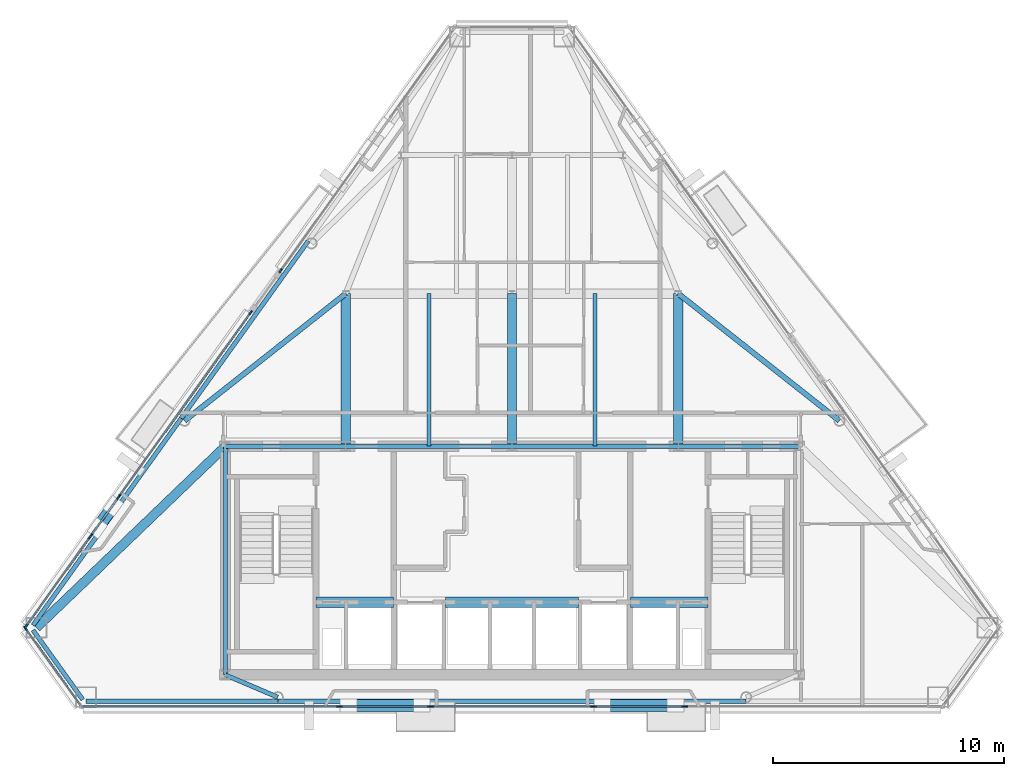
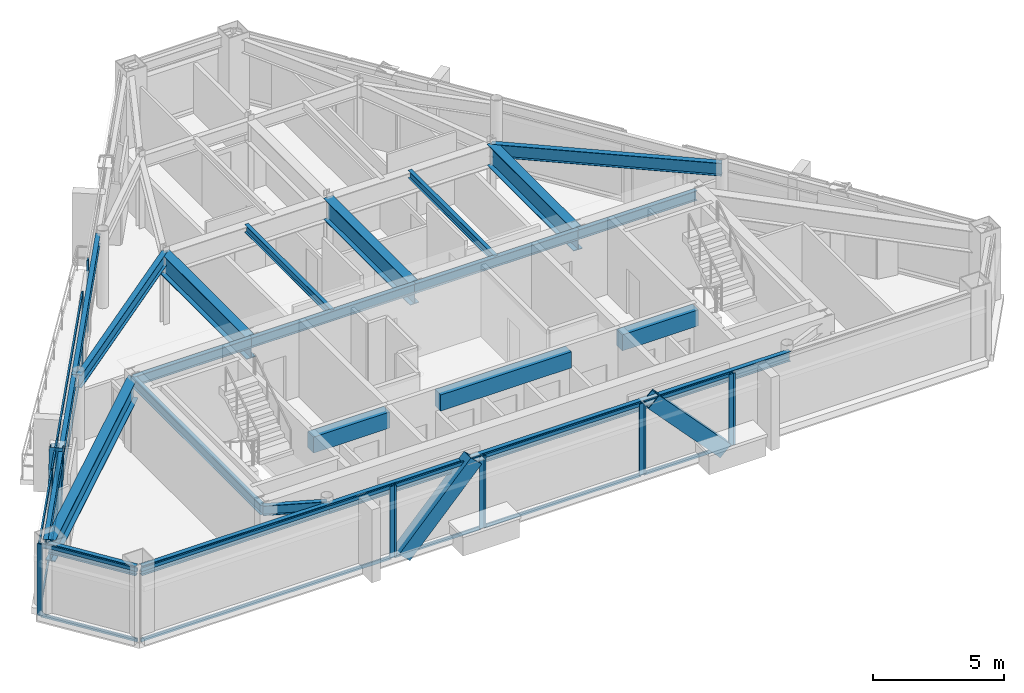
# One storey, part 4 of 12: 35 members, 22 beams, 10 elements without a shape of their own.
"""IFC4 building model written with IfcOpenShell, lengths in metres."""

from ifc_helpers import new_model, si_unit, direction, frame, origin, origin_2d, place, context, subcontext, project, spatial, rectangle, hollow_rectangle, i_section, extrude, material, layer, layer_set, material_profile, profile_set, type_object, element, aggregate, save


model = new_model("IFC4")

# Units and contexts
model_context = context("Model", 3, precision=1e-05, world=origin(), true_north=direction((0.0, 1.0)))
body_context = subcontext(model_context, "Body", "Model", "MODEL_VIEW")
ifc_project = project(units=[si_unit("LENGTHUNIT", "METRE"), si_unit("AREAUNIT", "SQUARE_METRE"), si_unit("VOLUMEUNIT", "CUBIC_METRE"), si_unit("PLANEANGLEUNIT", "RADIAN"), si_unit("MASSUNIT", "GRAM", prefix="KILO")], contexts=[model_context])

# Site, building, storey
site_placement = place(None, origin())
site = spatial("IfcSite", under=ifc_project, at=site_placement, CompositionType="ELEMENT")
building_placement = place(site_placement, origin())
building = spatial("IfcBuilding", under=site, at=building_placement, Name="Talgorran Terracotta Tower", CompositionType="ELEMENT")
storey_placement = place(building_placement, frame((0.0, 0.0, 256.199951171875)))
storey = spatial("IfcBuildingStorey", under=building, at=storey_placement, Name="L67", CompositionType="ELEMENT", Elevation=256.199951171875)

# Beams
ifc_material_1 = material(Name="Steel Grade 350 (350L0)", Category="steel")
ifc_material_profile_1 = material_profile(ifc_material_1, i_section(OverallWidth=0.39990234375, OverallDepth=1.0, WebThickness=0.01611328125, FlangeThickness=0.031005859375, at=origin_2d()), Name="1000WB296")
ifc_profile_set_1 = profile_set([ifc_material_profile_1], Name="Steel Grade 350 (350L0)")
beam_type_1 = type_object("IfcBeamType", Name="BM_1000WB296", PredefinedType="BEAM", material=ifc_profile_set_1)
for number, where, z_axis, x_axis, name in (
    (1, (-7.199951171875, -4.199951171875, 2.844970703125), (0.0, 1.0, 0.0), (-1.0, 0.0, 0.0), "L67 Floor Girder G01"),
    (2, (0.0, -4.199951171875, 2.844970703125), (0.0, 1.0, 0.0), (-1.0, 0.0, 0.0), "L67 Floor Girder G02"),
    (3, (7.199951171875, -4.199951171875, 2.844970703125), (0.0, 1.0, 0.0), (-1.0, 0.0, 0.0), "L67 Floor Girder G03"),
):
    element("IfcBeam", number, at=place(storey_placement, frame(where, z_axis=z_axis, x_axis=x_axis)), inside=storey, type_object=beam_type_1, Name=name, PredefinedType="BEAM", context=body_context, shape_type="SweptSolid", body=[
        extrude(i_section(OverallWidth=0.39990234375, OverallDepth=1.0, WebThickness=0.01611328125, FlangeThickness=0.031005859375, at=origin_2d()), origin(), (0.0, 0.0, 1.0), 6.599853515625),
    ])
beam_1_placement = place(storey_placement, frame((-12.39990234375, -4.199951171875, 2.844970703125), z_axis=(-0.721440209588, -0.692476731731, 0.0), x_axis=(0.692476731731, -0.721440209588, 0.0)))
element("IfcBeam", 4, at=beam_1_placement, inside=storey, type_object=beam_type_1, Name="L67 Floor Girder G17", PredefinedType="BEAM", context=body_context, shape_type="SweptSolid", body=[
    extrude(i_section(OverallWidth=0.39990234375, OverallDepth=1.0, WebThickness=0.01611328125, FlangeThickness=0.031005859375, at=origin_2d()), origin(), (0.0, 0.0, 1.0), 11.345703125),
])
ifc_material_2 = material(Name="Steel S355 (300PLUS)", Category="steel")
ifc_material_profile_2 = material_profile(ifc_material_2, i_section(OverallWidth=0.22802734375, OverallDepth=0.60205078125, WebThickness=0.010498046875, FlangeThickness=0.014892578125, at=origin_2d()), Name="610UB101")
ifc_profile_set_2 = profile_set([ifc_material_profile_2], Name="Steel S355 (300PLUS)")
beam_type_2 = type_object("IfcBeamType", Name="BM_610UB101", PredefinedType="BEAM", material=ifc_profile_set_2)
for number, where, z_axis, x_axis, name in (
    (5, (-7.199951171875, 2.39990234375, 3.0439453125), (-0.785110763938, -0.619355381302, 0.0), (0.619355381302, -0.785110763938, 0.0), "L67 Floor Girder G06"),
    (6, (7.199951171875, 2.39990234375, 3.0439453125), (0.785110763938, -0.619355381302, 0.0), (0.619355381302, 0.785110763938, 0.0), "L67 Floor Girder G07"),
):
    element("IfcBeam", number, at=place(storey_placement, frame(where, z_axis=z_axis, x_axis=x_axis)), inside=storey, type_object=beam_type_2, Name=name, PredefinedType="BEAM", context=body_context, shape_type="SweptSolid", body=[
        extrude(i_section(OverallWidth=0.22802734375, OverallDepth=0.60205078125, WebThickness=0.010498046875, FlangeThickness=0.014892578125, at=origin_2d()), origin(), (0.0, 0.0, 1.0), 8.878662109375),
    ])
ifc_material_3 = material(Name="Concrete C50/60", Category="concrete")
ifc_material_profile_3 = material_profile(ifc_material_3, rectangle(XDim=0.449951171875, YDim=0.75, at=origin_2d()), Name="RCCB450X750")
ifc_profile_set_3 = profile_set([ifc_material_profile_3], Name="Concrete C50/60")
beam_type_3 = type_object("IfcBeamType", Name="BM_CB_450X750", PredefinedType="LINTEL", material=ifc_profile_set_3)
beam_2_placement = place(storey_placement, frame((-8.47998046875, -10.949951171875, 2.969970703125), z_axis=(1.0, 0.0, 0.0), x_axis=(0.0, 1.0, 0.0)))
element("IfcBeam", 7, at=beam_2_placement, inside=storey, type_object=beam_type_3, Name="L67 Core Shear-Wall Coupling Beam CB1", PredefinedType="LINTEL", context=body_context, shape_type="SweptSolid", body=[
    extrude(rectangle(XDim=0.449951171875, YDim=0.75, at=origin_2d()), origin(), (0.0, 0.0, 1.0), 3.35986328125),
])
beam_3_placement = place(storey_placement, frame((-2.8798828125, -10.949951171875, 2.969970703125), z_axis=(1.0, 0.0, 0.0), x_axis=(0.0, 1.0, 0.0)))
element("IfcBeam", 8, at=beam_3_placement, inside=storey, type_object=beam_type_3, Name="L67 Core Shear-Wall Coupling Beam CB2", PredefinedType="LINTEL", context=body_context, shape_type="SweptSolid", body=[
    extrude(rectangle(XDim=0.449951171875, YDim=0.75, at=origin_2d()), origin(), (0.0, 0.0, 1.0), 5.759765625),
])
beam_4_placement = place(storey_placement, frame((5.1201171875, -10.949951171875, 2.969970703125), z_axis=(1.0, 0.0, 0.0), x_axis=(0.0, 1.0, 0.0)))
element("IfcBeam", 9, at=beam_4_placement, inside=storey, type_object=beam_type_3, Name="L67 Core Shear-Wall Coupling Beam CB3", PredefinedType="LINTEL", context=body_context, shape_type="SweptSolid", body=[
    extrude(rectangle(XDim=0.449951171875, YDim=0.75, at=origin_2d()), origin(), (0.0, 0.0, 1.0), 3.35986328125),
])
ifc_material_profile_4 = material_profile(ifc_material_2, i_section(OverallWidth=0.17138671875, OverallDepth=0.355712890625, WebThickness=0.00732421875, FlangeThickness=0.011474609375, at=origin_2d()), Name="360UB50.7")
ifc_profile_set_4 = profile_set([ifc_material_profile_4], Name="Steel S355 (300PLUS)")
beam_type_4 = type_object("IfcBeamType", Name="BM_JS_360UB51", PredefinedType="JOIST", material=ifc_profile_set_4)
for number, where, z_axis, x_axis, name in (
    (10, (-3.60009765625, -4.199951171875, 3.167236328125), (0.0, 1.0, 0.0), (-1.0, 0.0, 0.0), "L67 Secondary Joist J01"),
    (11, (3.60009765625, -4.199951171875, 3.167236328125), (0.0, 1.0, 0.0), (-1.0, 0.0, 0.0), "L67 Secondary Joist J02"),
):
    element("IfcBeam", number, at=place(storey_placement, frame(where, z_axis=z_axis, x_axis=x_axis)), inside=storey, type_object=beam_type_4, Name=name, PredefinedType="JOIST", context=body_context, shape_type="SweptSolid", body=[
        extrude(i_section(OverallWidth=0.17138671875, OverallDepth=0.355712890625, WebThickness=0.00732421875, FlangeThickness=0.011474609375, at=origin_2d()), origin(), (0.0, 0.0, 1.0), 6.599853515625),
    ])
ifc_material_profile_5 = material_profile(ifc_material_2, i_section(OverallWidth=0.18994140625, OverallDepth=0.45703125, WebThickness=0.009033203125, FlangeThickness=0.014404296875, at=origin_2d()), Name="460UB74.6")
ifc_profile_set_5 = profile_set([ifc_material_profile_5], Name="Steel S355 (300PLUS)")
beam_type_5 = type_object("IfcBeamType", Name="BM_SP_460UB74", PredefinedType="SPANDREL", material=ifc_profile_set_5)
beam_5_placement = place(storey_placement, frame((-20.7314453125, -12.16162109375, 3.116455078125), z_axis=(0.582224487769, -0.813028071989, 0.0), x_axis=(0.813028071989, 0.582224487769, 0.0)))
element("IfcBeam", 12, at=beam_5_placement, inside=storey, type_object=beam_type_5, Name="L67 Perimeter Spandrel Beam MC1-MC2", PredefinedType="SPANDREL", context=body_context, shape_type="SweptSolid", body=[
    extrude(i_section(OverallWidth=0.18994140625, OverallDepth=0.45703125, WebThickness=0.009033203125, FlangeThickness=0.014404296875, at=origin_2d()), origin(), (0.0, 0.0, 1.0), 3.697998046875),
])
beam_6_placement = place(storey_placement, frame((-18.43212890625, -15.243408203125, 3.116455078125), z_axis=(1.0, 0.0, 0.0), x_axis=(0.0, 1.0, 0.0)))
element("IfcBeam", 13, at=beam_6_placement, inside=storey, type_object=beam_type_5, Name="L67 Perimeter Spandrel Beam MC2-FC1", PredefinedType="SPANDREL", context=body_context, shape_type="SweptSolid", body=[
    extrude(i_section(OverallWidth=0.18994140625, OverallDepth=0.45703125, WebThickness=0.009033203125, FlangeThickness=0.014404296875, at=origin_2d()), origin(), (0.0, 0.0, 1.0), 8.29443359375),
])
beam_7_placement = place(storey_placement, frame((-10.1376953125, -15.243408203125, 3.116455078125), z_axis=(1.0, 0.0, 0.0), x_axis=(0.0, 1.0, 0.0)))
element("IfcBeam", 14, at=beam_7_placement, inside=storey, type_object=beam_type_5, Name="L67 Perimeter Spandrel Beam FC1-FC2", PredefinedType="SPANDREL", context=body_context, shape_type="SweptSolid", body=[
    extrude(i_section(OverallWidth=0.18994140625, OverallDepth=0.45703125, WebThickness=0.009033203125, FlangeThickness=0.014404296875, at=origin_2d()), origin(), (0.0, 0.0, 1.0), 20.275390625),
])
beam_8_placement = place(storey_placement, frame((-8.81884765625, 4.683837890625, 3.116455078125), z_axis=(-0.582203768418, -0.813042909102, 0.0), x_axis=(0.813042909102, -0.582203768418, 0.0)))
element("IfcBeam", 15, at=beam_8_placement, inside=storey, type_object=beam_type_5, Name="L67 Perimeter Spandrel Beam FC5-FC6", PredefinedType="SPANDREL", context=body_context, shape_type="SweptSolid", body=[
    extrude(i_section(OverallWidth=0.18994140625, OverallDepth=0.45703125, WebThickness=0.009033203125, FlangeThickness=0.014404296875, at=origin_2d()), origin(), (0.0, 0.0, 1.0), 9.443603515625),
])
beam_9_placement = place(storey_placement, frame((-14.31689453125, -2.994140625, 3.116455078125), z_axis=(-0.58220828918, -0.813039671855, 0.0), x_axis=(0.813039671855, -0.58220828918, 0.0)))
element("IfcBeam", 16, at=beam_9_placement, inside=storey, type_object=beam_type_5, Name="L67 Perimeter Spandrel Beam FC6-MC1", PredefinedType="SPANDREL", context=body_context, shape_type="SweptSolid", body=[
    extrude(i_section(OverallWidth=0.18994140625, OverallDepth=0.45703125, WebThickness=0.009033203125, FlangeThickness=0.014404296875, at=origin_2d()), origin(), (0.0, 0.0, 1.0), 11.017578125),
])
beam_10_placement = place(storey_placement, frame((-10.1376953125, -15.063232421875, 3.116455078125), z_axis=(-0.920082307349, 0.391725092002, 0.0), x_axis=(-0.391725092002, -0.920082307349, 0.0)))
element("IfcBeam", 17, at=beam_10_placement, inside=storey, type_object=beam_type_5, Name="L67 South-West Core Tie Beam", PredefinedType="SPANDREL", context=body_context, shape_type="SweptSolid", body=[
    extrude(i_section(OverallWidth=0.18994140625, OverallDepth=0.45703125, WebThickness=0.009033203125, FlangeThickness=0.014404296875, at=origin_2d()), origin(), (0.0, 0.0, 1.0), 2.458740234375),
])
beam_11_placement = place(storey_placement, frame((-12.39990234375, -14.10009765625, 3.116455078125), z_axis=(0.0, 1.0, 0.0), x_axis=(-1.0, 0.0, 0.0)))
element("IfcBeam", 18, at=beam_11_placement, inside=storey, type_object=beam_type_5, Name="L67 Core Frame Beam CFW", PredefinedType="SPANDREL", context=body_context, shape_type="SweptSolid", body=[
    extrude(i_section(OverallWidth=0.18994140625, OverallDepth=0.45703125, WebThickness=0.009033203125, FlangeThickness=0.014404296875, at=origin_2d()), origin(), (0.0, 0.0, 1.0), 9.900146484375),
])
beam_12_placement = place(storey_placement, frame((-12.39990234375, -4.199951171875, 3.116455078125), z_axis=(1.0, 0.0, 0.0), x_axis=(0.0, 1.0, 0.0)))
element("IfcBeam", 19, at=beam_12_placement, inside=storey, type_object=beam_type_5, Name="L67 Core Frame Beam CFN1", PredefinedType="SPANDREL", context=body_context, shape_type="SweptSolid", body=[
    extrude(i_section(OverallWidth=0.18994140625, OverallDepth=0.45703125, WebThickness=0.009033203125, FlangeThickness=0.014404296875, at=origin_2d()), origin(), (0.0, 0.0, 1.0), 5.199951171875),
])
for number, where, z_axis, x_axis, name in (
    (20, (-7.199951171875, -4.199951171875, 3.116455078125), (1.0, 0.0, 0.0), (0.0, 1.0, 0.0), "L67 Core Frame Beam CFN2"),
    (21, (0.0, -4.199951171875, 3.116455078125), (1.0, 0.0, 0.0), (0.0, 1.0, 0.0), "L67 Core Frame Beam CFN3"),
):
    element("IfcBeam", number, at=place(storey_placement, frame(where, z_axis=z_axis, x_axis=x_axis)), inside=storey, type_object=beam_type_5, Name=name, PredefinedType="SPANDREL", context=body_context, shape_type="SweptSolid", body=[
        extrude(i_section(OverallWidth=0.18994140625, OverallDepth=0.45703125, WebThickness=0.009033203125, FlangeThickness=0.014404296875, at=origin_2d()), origin(), (0.0, 0.0, 1.0), 7.199951171875),
    ])
beam_13_placement = place(storey_placement, frame((7.199951171875, -4.199951171875, 3.116455078125), z_axis=(1.0, 0.0, 0.0), x_axis=(0.0, 1.0, 0.0)))
element("IfcBeam", 22, at=beam_13_placement, inside=storey, type_object=beam_type_5, Name="L67 Core Frame Beam CFN4", PredefinedType="SPANDREL", context=body_context, shape_type="SweptSolid", body=[
    extrude(i_section(OverallWidth=0.18994140625, OverallDepth=0.45703125, WebThickness=0.009033203125, FlangeThickness=0.014404296875, at=origin_2d()), origin(), (0.0, 0.0, 1.0), 5.199951171875),
])

# Members
ifc_material_profile_6 = material_profile(ifc_material_1, hollow_rectangle(XDim=0.52001953125, YDim=0.659912109375, WallThickness=0.034912109375, at=origin_2d()), Name="WBOX660X520X35")
ifc_profile_set_6 = profile_set([ifc_material_profile_6], Name="Steel Grade 350 (350L0)")
member_type_1 = type_object("IfcMemberType", Name="MB_MEGA_660", PredefinedType="BRACE", material=ifc_profile_set_6)
for number, where, z_axis, x_axis, name in (
    (23, (-7.074462890625, -15.42333984375, -0.02490234375), (0.681870199399, 0.0, 0.731473192381), (0.0, 1.0, 0.0), "L67 Exterior Face Mega-Brace MB-3 (SWF)"),
    (24, (7.074462890625, -15.42333984375, -0.02490234375), (-0.681870199399, 0.0, 0.731473192381), (0.0, -1.0, 0.0), "L67 Exterior Face Mega-Brace MB-3 (SEF)"),
):
    element("IfcMember", number, at=place(storey_placement, frame(where, z_axis=z_axis, x_axis=x_axis)), inside=storey, type_object=member_type_1, Name=name, PredefinedType="BRACE", context=body_context, shape_type="SweptSolid", body=[
        extrude(hollow_rectangle(XDim=0.52001953125, YDim=0.659912109375, WallThickness=0.034912109375, at=origin_2d()), origin(), (0.0, 0.0, 1.0), 4.641357421875),
    ])
member_1_placement = place(storey_placement, frame((-17.94287109375, -7.748291015625, -0.02490234375), z_axis=(0.191327072159, 0.267124378701, 0.944477907504), x_axis=(-0.812978584989, 0.582293586045, 0.0)))
element("IfcMember", 25, at=member_1_placement, inside=storey, type_object=member_type_1, Name="L67 Exterior Face Mega-Brace MB-3 (NWL)", PredefinedType="BRACE", context=body_context, shape_type="SweptSolid", body=[
    extrude(hollow_rectangle(XDim=0.52001953125, YDim=0.659912109375, WallThickness=0.034912109375, at=origin_2d()), origin(), (0.0, 0.0, 1.0), 3.594482421875),
])

# Curtain wall, member
ifc_material_4 = material(Name="High-Wind Unitised Glazing", Category="glass")
ifc_layer = layer(ifc_material_4, 0.2099609375, Name="CW_SYS3_RES_HIGH")
ifc_layer_set = layer_set([ifc_layer], Name="High-Wind Unitised Glazing")
curtain_wall_type = type_object("IfcCurtainWallType", Name="CW_SYS3_RES_HIGH", PredefinedType="NOTDEFINED", material=ifc_layer_set)
curtain_wall_1_placement = place(storey_placement, origin())
curtain_wall_1 = element("IfcCurtainWall", 26, at=curtain_wall_1_placement, inside=storey, type_object=curtain_wall_type, Name="CW-L67-F0", PredefinedType="NOTDEFINED")
ifc_material_5 = material(Name="Architectural Aluminium 6063-T6", Category="aluminium")
ifc_material_profile_7 = material_profile(ifc_material_5, rectangle(XDim=0.070068359375, YDim=0.199951171875, at=origin_2d()), Name="CWM70X200")
ifc_profile_set_7 = profile_set([ifc_material_profile_7], Name="Architectural Aluminium 6063-T6")
member_type_2 = type_object("IfcMemberType", Name="MUL_70X200", PredefinedType="MULLION", material=ifc_profile_set_7)
member_2_placement = place(storey_placement, frame((-21.056640625, -12.085205078125, 0.0), z_axis=(0.0, 0.0, 1.0), x_axis=(0.813031401137, 0.582219838862, 0.0)))
member_2 = element("IfcMember", 27, at=member_2_placement, type_object=member_type_2, Name="CW-L67-0 mullion 1", PredefinedType="MULLION", context=body_context, shape_type="SweptSolid", body=[
    extrude(rectangle(XDim=0.070068359375, YDim=0.199951171875, at=origin_2d()), origin(), (0.0, 0.0, 1.0), 3.344970703125),
])

curtain_wall_2_placement = place(storey_placement, origin())
curtain_wall_2 = element("IfcCurtainWall", 28, at=curtain_wall_2_placement, inside=storey, type_object=curtain_wall_type, Name="CW-L67-F1", PredefinedType="NOTDEFINED")
member_3_placement = place(storey_placement, frame((-7.505859375, -15.46337890625, 0.0), z_axis=(0.0, 0.0, 1.0), x_axis=(0.0, 1.0, 0.0)))
member_3 = element("IfcMember", 29, at=member_3_placement, type_object=member_type_2, Name="CW-L67-1 mullion 2", PredefinedType="MULLION", context=body_context, shape_type="SweptSolid", body=[
    extrude(rectangle(XDim=0.070068359375, YDim=0.199951171875, at=origin_2d()), origin(), (0.0, 0.0, 1.0), 3.344970703125),
])

# Curtain wall, members
curtain_wall_3_placement = place(storey_placement, origin())
curtain_wall_3 = element("IfcCurtainWall", 30, at=curtain_wall_3_placement, inside=storey, type_object=curtain_wall_type, Name="CW-L67-F1B", PredefinedType="NOTDEFINED")
member_4_placement = place(storey_placement, frame((-7.42578125, -15.46337890625, 0.0), z_axis=(0.0, 0.0, 1.0), x_axis=(0.0, 1.0, 0.0)))
member_4 = element("IfcMember", 31, at=member_4_placement, type_object=member_type_2, Name="CW-L67-1B mullion 1", PredefinedType="MULLION", context=body_context, shape_type="SweptSolid", body=[
    extrude(rectangle(XDim=0.070068359375, YDim=0.199951171875, at=origin_2d()), origin(), (0.0, 0.0, 1.0), 3.344970703125),
])
member_5_placement = place(storey_placement, frame((-3.55810546875, -15.46337890625, 0.0), z_axis=(0.0, 0.0, 1.0), x_axis=(0.0, 1.0, 0.0)))
member_5 = element("IfcMember", 32, at=member_5_placement, type_object=member_type_2, Name="CW-L67-1B mullion 2", PredefinedType="MULLION", context=body_context, shape_type="SweptSolid", body=[
    extrude(rectangle(XDim=0.070068359375, YDim=0.199951171875, at=origin_2d()), origin(), (0.0, 0.0, 1.0), 3.344970703125),
])

curtain_wall_4_placement = place(storey_placement, origin())
curtain_wall_4 = element("IfcCurtainWall", 33, at=curtain_wall_4_placement, inside=storey, type_object=curtain_wall_type, Name="CW-L67-F1C", PredefinedType="NOTDEFINED")
member_6_placement = place(storey_placement, frame((-3.478271484375, -15.46337890625, 0.0), z_axis=(0.0, 0.0, 1.0), x_axis=(0.0, 1.0, 0.0)))
member_6 = element("IfcMember", 34, at=member_6_placement, type_object=member_type_2, Name="CW-L67-1C mullion 1", PredefinedType="MULLION", context=body_context, shape_type="SweptSolid", body=[
    extrude(rectangle(XDim=0.070068359375, YDim=0.199951171875, at=origin_2d()), origin(), (0.0, 0.0, 1.0), 3.344970703125),
])
member_7_placement = place(storey_placement, frame((3.478271484375, -15.46337890625, 0.0), z_axis=(0.0, 0.0, 1.0), x_axis=(0.0, 1.0, 0.0)))
member_7 = element("IfcMember", 35, at=member_7_placement, type_object=member_type_2, Name="CW-L67-1C mullion 2", PredefinedType="MULLION", context=body_context, shape_type="SweptSolid", body=[
    extrude(rectangle(XDim=0.070068359375, YDim=0.199951171875, at=origin_2d()), origin(), (0.0, 0.0, 1.0), 3.344970703125),
])

curtain_wall_5_placement = place(storey_placement, origin())
curtain_wall_5 = element("IfcCurtainWall", 36, at=curtain_wall_5_placement, inside=storey, type_object=curtain_wall_type, Name="CW-L67-F1D", PredefinedType="NOTDEFINED")
member_8_placement = place(storey_placement, frame((3.55810546875, -15.46337890625, 0.0), z_axis=(0.0, 0.0, 1.0), x_axis=(0.0, 1.0, 0.0)))
member_8 = element("IfcMember", 37, at=member_8_placement, type_object=member_type_2, Name="CW-L67-1D mullion 1", PredefinedType="MULLION", context=body_context, shape_type="SweptSolid", body=[
    extrude(rectangle(XDim=0.070068359375, YDim=0.199951171875, at=origin_2d()), origin(), (0.0, 0.0, 1.0), 3.344970703125),
])
member_9_placement = place(storey_placement, frame((7.42578125, -15.46337890625, 0.0), z_axis=(0.0, 0.0, 1.0), x_axis=(0.0, 1.0, 0.0)))
member_9 = element("IfcMember", 38, at=member_9_placement, type_object=member_type_2, Name="CW-L67-1D mullion 2", PredefinedType="MULLION", context=body_context, shape_type="SweptSolid", body=[
    extrude(rectangle(XDim=0.070068359375, YDim=0.199951171875, at=origin_2d()), origin(), (0.0, 0.0, 1.0), 3.344970703125),
])

# Curtain wall, member
curtain_wall_6_placement = place(storey_placement, origin())
curtain_wall_6 = element("IfcCurtainWall", 39, at=curtain_wall_6_placement, inside=storey, type_object=curtain_wall_type, Name="CW-L67-F1E", PredefinedType="NOTDEFINED")
member_10_placement = place(storey_placement, frame((7.505859375, -15.46337890625, 0.0), z_axis=(0.0, 0.0, 1.0), x_axis=(0.0, 1.0, 0.0)))
member_10 = element("IfcMember", 40, at=member_10_placement, type_object=member_type_2, Name="CW-L67-1E mullion 1", PredefinedType="MULLION", context=body_context, shape_type="SweptSolid", body=[
    extrude(rectangle(XDim=0.070068359375, YDim=0.199951171875, at=origin_2d()), origin(), (0.0, 0.0, 1.0), 3.344970703125),
])
aggregate(curtain_wall_6, [member_10])

curtain_wall_7_placement = place(storey_placement, origin())
curtain_wall_7 = element("IfcCurtainWall", 41, at=curtain_wall_7_placement, inside=storey, type_object=curtain_wall_type, Name="CW-L67-F60C", PredefinedType="NOTDEFINED")
member_11_placement = place(storey_placement, frame((-10.01318359375, 3.39404296875, 0.0), z_axis=(0.0, 0.0, 1.0), x_axis=(0.813038715177, -0.582209625155, 0.0)))
member_11 = element("IfcMember", 42, at=member_11_placement, type_object=member_type_2, Name="CW-L67-60C mullion 2", PredefinedType="MULLION", context=body_context, shape_type="SweptSolid", body=[
    extrude(rectangle(XDim=0.070068359375, YDim=0.199951171875, at=origin_2d()), origin(), (0.0, 0.0, 1.0), 3.344970703125),
])
aggregate(curtain_wall_7, [member_11])

# Curtain wall, members
curtain_wall_8_placement = place(storey_placement, origin())
curtain_wall_8 = element("IfcCurtainWall", 43, at=curtain_wall_8_placement, inside=storey, type_object=curtain_wall_type, Name="CW-L67-F61", PredefinedType="NOTDEFINED")
member_12_placement = place(storey_placement, frame((-11.311279296875, 1.5810546875, 0.0), z_axis=(0.0, 0.0, 1.0), x_axis=(0.813042332037, -0.582204574283, 0.0)))
member_12 = element("IfcMember", 44, at=member_12_placement, type_object=member_type_2, Name="CW-L67-61 mullion 1", PredefinedType="MULLION", context=body_context, shape_type="SweptSolid", body=[
    extrude(rectangle(XDim=0.070068359375, YDim=0.199951171875, at=origin_2d()), origin(), (0.0, 0.0, 1.0), 3.344970703125),
])
member_13_placement = place(storey_placement, frame((-16.99560546875, -6.35693359375, 0.0), z_axis=(0.0, 0.0, 1.0), x_axis=(0.813042332037, -0.582204574283, 0.0)))
member_13 = element("IfcMember", 45, at=member_13_placement, type_object=member_type_2, Name="CW-L67-61 mullion 2", PredefinedType="MULLION", context=body_context, shape_type="SweptSolid", body=[
    extrude(rectangle(XDim=0.070068359375, YDim=0.199951171875, at=origin_2d()), origin(), (0.0, 0.0, 1.0), 3.344970703125),
])

curtain_wall_9_placement = place(storey_placement, origin())
curtain_wall_9 = element("IfcCurtainWall", 46, at=curtain_wall_9_placement, inside=storey, type_object=curtain_wall_type, Name="CW-L67-F61B", PredefinedType="NOTDEFINED")
member_14_placement = place(storey_placement, frame((-17.042236328125, -6.422119140625, 0.0), z_axis=(0.0, 0.0, 1.0), x_axis=(0.813029580592, -0.582222381125, 0.0)))
member_14 = element("IfcMember", 47, at=member_14_placement, type_object=member_type_2, Name="CW-L67-61B mullion 1", PredefinedType="MULLION", context=body_context, shape_type="SweptSolid", body=[
    extrude(rectangle(XDim=0.070068359375, YDim=0.199951171875, at=origin_2d()), origin(), (0.0, 0.0, 1.0), 3.344970703125),
])
member_15_placement = place(storey_placement, frame((-18.220703125, -8.06787109375, 0.0), z_axis=(0.0, 0.0, 1.0), x_axis=(0.813029580592, -0.582222381125, 0.0)))
member_15 = element("IfcMember", 48, at=member_15_placement, type_object=member_type_2, Name="CW-L67-61B mullion 2", PredefinedType="MULLION", context=body_context, shape_type="SweptSolid", body=[
    extrude(rectangle(XDim=0.070068359375, YDim=0.199951171875, at=origin_2d()), origin(), (0.0, 0.0, 1.0), 3.344970703125),
])

curtain_wall_10_placement = place(storey_placement, origin())
curtain_wall_10 = element("IfcCurtainWall", 49, at=curtain_wall_10_placement, inside=storey, type_object=curtain_wall_type, Name="CW-L67-F61C", PredefinedType="NOTDEFINED")
member_16_placement = place(storey_placement, frame((-18.267333984375, -8.133056640625, 0.0), z_axis=(0.0, 0.0, 1.0), x_axis=(0.813037722593, -0.582211011267, 0.0)))
member_16 = element("IfcMember", 50, at=member_16_placement, type_object=member_type_2, Name="CW-L67-61C mullion 1", PredefinedType="MULLION", context=body_context, shape_type="SweptSolid", body=[
    extrude(rectangle(XDim=0.070068359375, YDim=0.199951171875, at=origin_2d()), origin(), (0.0, 0.0, 1.0), 3.344970703125),
])
member_17_placement = place(storey_placement, frame((-21.033447265625, -11.995849609375, 0.0), z_axis=(0.0, 0.0, 1.0), x_axis=(0.813037722593, -0.582211011267, 0.0)))
member_17 = element("IfcMember", 51, at=member_17_placement, type_object=member_type_2, Name="CW-L67-61C mullion 2", PredefinedType="MULLION", context=body_context, shape_type="SweptSolid", body=[
    extrude(rectangle(XDim=0.070068359375, YDim=0.199951171875, at=origin_2d()), origin(), (0.0, 0.0, 1.0), 3.344970703125),
])

# Member
ifc_material_profile_8 = material_profile(ifc_material_5, rectangle(XDim=0.070068359375, YDim=0.159912109375, at=origin_2d()), Name="CWT70X160")
ifc_profile_set_8 = profile_set([ifc_material_profile_8], Name="Architectural Aluminium 6063-T6")
member_type_3 = type_object("IfcMemberType", Name="TRN_70X160", PredefinedType="USERDEFINED", material=ifc_profile_set_8)
member_18_placement = place(storey_placement, frame((-21.036376953125, -12.113525390625, 0.03515625), z_axis=(0.582184359595, -0.813056807021, 0.0), x_axis=(0.813056807021, 0.582184359595, 0.0)))
member_18 = element("IfcMember", 52, at=member_18_placement, type_object=member_type_3, Name="CW-L67-0 transom 1.1", ObjectType="TRANSOM", PredefinedType="USERDEFINED", context=body_context, shape_type="SweptSolid", body=[
    extrude(rectangle(XDim=0.070068359375, YDim=0.159912109375, at=origin_2d()), origin(), (0.0, 0.0, 1.0), 4.050048828125),
])

member_19_placement = place(storey_placement, frame((-21.036376953125, -12.113525390625, 3.31005859375), z_axis=(0.582184359595, -0.813056807021, 0.0), x_axis=(0.813056807021, 0.582184359595, 0.0)))
member_19 = element("IfcMember", 53, at=member_19_placement, type_object=member_type_3, Name="CW-L67-0 transom 1.2", ObjectType="TRANSOM", PredefinedType="USERDEFINED", context=body_context, shape_type="SweptSolid", body=[
    extrude(rectangle(XDim=0.070068359375, YDim=0.159912109375, at=origin_2d()), origin(), (0.0, 0.0, 1.0), 4.050048828125),
])

aggregate(curtain_wall_1, [member_2, member_18, member_19])

member_20_placement = place(storey_placement, frame((-18.567626953125, -15.46337890625, 0.03515625), z_axis=(1.0, 0.0, 0.0), x_axis=(0.0, 1.0, 0.0)))
member_20 = element("IfcMember", 54, at=member_20_placement, type_object=member_type_3, Name="CW-L67-1 transom 1.1", ObjectType="TRANSOM", PredefinedType="USERDEFINED", context=body_context, shape_type="SweptSolid", body=[
    extrude(rectangle(XDim=0.070068359375, YDim=0.159912109375, at=origin_2d()), origin(), (0.0, 0.0, 1.0), 11.026611328125),
])

member_21_placement = place(storey_placement, frame((-18.567626953125, -15.46337890625, 3.31005859375), z_axis=(1.0, 0.0, 0.0), x_axis=(0.0, 1.0, 0.0)))
member_21 = element("IfcMember", 55, at=member_21_placement, type_object=member_type_3, Name="CW-L67-1 transom 1.2", ObjectType="TRANSOM", PredefinedType="USERDEFINED", context=body_context, shape_type="SweptSolid", body=[
    extrude(rectangle(XDim=0.070068359375, YDim=0.159912109375, at=origin_2d()), origin(), (0.0, 0.0, 1.0), 11.026611328125),
])

aggregate(curtain_wall_2, [member_3, member_20, member_21])

member_22_placement = place(storey_placement, frame((-7.390869140625, -15.46337890625, 0.03515625), z_axis=(1.0, 0.0, 0.0), x_axis=(0.0, 1.0, 0.0)))
member_22 = element("IfcMember", 56, at=member_22_placement, type_object=member_type_3, Name="CW-L67-1B transom 1.1", ObjectType="TRANSOM", PredefinedType="USERDEFINED", context=body_context, shape_type="SweptSolid", body=[
    extrude(rectangle(XDim=0.070068359375, YDim=0.159912109375, at=origin_2d()), origin(), (0.0, 0.0, 1.0), 3.797607421875),
])

member_23_placement = place(storey_placement, frame((-7.390869140625, -15.46337890625, 3.31005859375), z_axis=(1.0, 0.0, 0.0), x_axis=(0.0, 1.0, 0.0)))
member_23 = element("IfcMember", 57, at=member_23_placement, type_object=member_type_3, Name="CW-L67-1B transom 1.2", ObjectType="TRANSOM", PredefinedType="USERDEFINED", context=body_context, shape_type="SweptSolid", body=[
    extrude(rectangle(XDim=0.070068359375, YDim=0.159912109375, at=origin_2d()), origin(), (0.0, 0.0, 1.0), 3.797607421875),
])

aggregate(curtain_wall_3, [member_4, member_5, member_22, member_23])

member_24_placement = place(storey_placement, frame((-3.443115234375, -15.46337890625, 0.03515625), z_axis=(1.0, 0.0, 0.0), x_axis=(0.0, 1.0, 0.0)))
member_24 = element("IfcMember", 58, at=member_24_placement, type_object=member_type_3, Name="CW-L67-1C transom 1.1", ObjectType="TRANSOM", PredefinedType="USERDEFINED", context=body_context, shape_type="SweptSolid", body=[
    extrude(rectangle(XDim=0.070068359375, YDim=0.159912109375, at=origin_2d()), origin(), (0.0, 0.0, 1.0), 6.88623046875),
])

member_25_placement = place(storey_placement, frame((-3.443115234375, -15.46337890625, 3.31005859375), z_axis=(1.0, 0.0, 0.0), x_axis=(0.0, 1.0, 0.0)))
member_25 = element("IfcMember", 59, at=member_25_placement, type_object=member_type_3, Name="CW-L67-1C transom 1.2", ObjectType="TRANSOM", PredefinedType="USERDEFINED", context=body_context, shape_type="SweptSolid", body=[
    extrude(rectangle(XDim=0.070068359375, YDim=0.159912109375, at=origin_2d()), origin(), (0.0, 0.0, 1.0), 6.88623046875),
])

aggregate(curtain_wall_4, [member_6, member_7, member_24, member_25])

member_26_placement = place(storey_placement, frame((3.59326171875, -15.46337890625, 0.03515625), z_axis=(1.0, 0.0, 0.0), x_axis=(0.0, 1.0, 0.0)))
member_26 = element("IfcMember", 60, at=member_26_placement, type_object=member_type_3, Name="CW-L67-1D transom 1.1", ObjectType="TRANSOM", PredefinedType="USERDEFINED", context=body_context, shape_type="SweptSolid", body=[
    extrude(rectangle(XDim=0.070068359375, YDim=0.159912109375, at=origin_2d()), origin(), (0.0, 0.0, 1.0), 3.797607421875),
])

member_27_placement = place(storey_placement, frame((3.59326171875, -15.46337890625, 3.31005859375), z_axis=(1.0, 0.0, 0.0), x_axis=(0.0, 1.0, 0.0)))
member_27 = element("IfcMember", 61, at=member_27_placement, type_object=member_type_3, Name="CW-L67-1D transom 1.2", ObjectType="TRANSOM", PredefinedType="USERDEFINED", context=body_context, shape_type="SweptSolid", body=[
    extrude(rectangle(XDim=0.070068359375, YDim=0.159912109375, at=origin_2d()), origin(), (0.0, 0.0, 1.0), 3.797607421875),
])

aggregate(curtain_wall_5, [member_8, member_9, member_26, member_27])

member_28_placement = place(storey_placement, frame((-11.331787109375, 1.552490234375, 0.03515625), z_axis=(-0.582207455164, -0.813040269084, 0.0), x_axis=(0.813040269084, -0.582207455164, 0.0)))
member_28 = element("IfcMember", 62, at=member_28_placement, type_object=member_type_3, Name="CW-L67-61 transom 1.1", ObjectType="TRANSOM", PredefinedType="USERDEFINED", context=body_context, shape_type="SweptSolid", body=[
    extrude(rectangle(XDim=0.070068359375, YDim=0.159912109375, at=origin_2d()), origin(), (0.0, 0.0, 1.0), 9.693359375),
])

member_29_placement = place(storey_placement, frame((-11.331787109375, 1.552490234375, 3.31005859375), z_axis=(-0.582207455164, -0.813040269084, 0.0), x_axis=(0.813040269084, -0.582207455164, 0.0)))
member_29 = element("IfcMember", 63, at=member_29_placement, type_object=member_type_3, Name="CW-L67-61 transom 1.2", ObjectType="TRANSOM", PredefinedType="USERDEFINED", context=body_context, shape_type="SweptSolid", body=[
    extrude(rectangle(XDim=0.070068359375, YDim=0.159912109375, at=origin_2d()), origin(), (0.0, 0.0, 1.0), 9.693359375),
])

aggregate(curtain_wall_8, [member_12, member_13, member_28, member_29])

member_30_placement = place(storey_placement, frame((-17.0625, -6.450439453125, 0.03515625), z_axis=(-0.582206680135, -0.813040824071, 0.0), x_axis=(0.813040824071, -0.582206680135, 0.0)))
member_30 = element("IfcMember", 64, at=member_30_placement, type_object=member_type_3, Name="CW-L67-61B transom 1.1", ObjectType="TRANSOM", PredefinedType="USERDEFINED", context=body_context, shape_type="SweptSolid", body=[
    extrude(rectangle(XDim=0.070068359375, YDim=0.159912109375, at=origin_2d()), origin(), (0.0, 0.0, 1.0), 1.95458984375),
])

member_31_placement = place(storey_placement, frame((-17.0625, -6.450439453125, 3.31005859375), z_axis=(-0.582206680135, -0.813040824071, 0.0), x_axis=(0.813040824071, -0.582206680135, 0.0)))
member_31 = element("IfcMember", 65, at=member_31_placement, type_object=member_type_3, Name="CW-L67-61B transom 1.2", ObjectType="TRANSOM", PredefinedType="USERDEFINED", context=body_context, shape_type="SweptSolid", body=[
    extrude(rectangle(XDim=0.070068359375, YDim=0.159912109375, at=origin_2d()), origin(), (0.0, 0.0, 1.0), 1.95458984375),
])

aggregate(curtain_wall_9, [member_14, member_15, member_30, member_31])

member_32_placement = place(storey_placement, frame((-18.287841796875, -8.16162109375, 0.03515625), z_axis=(-0.582194973518, -0.813049206881, 0.0), x_axis=(0.813049206881, -0.582194973518, 0.0)))
member_32 = element("IfcMember", 66, at=member_32_placement, type_object=member_type_3, Name="CW-L67-61C transom 1.1", ObjectType="TRANSOM", PredefinedType="USERDEFINED", context=body_context, shape_type="SweptSolid", body=[
    extrude(rectangle(XDim=0.070068359375, YDim=0.159912109375, at=origin_2d()), origin(), (0.0, 0.0, 1.0), 4.6806640625),
])

member_33_placement = place(storey_placement, frame((-18.287841796875, -8.16162109375, 3.31005859375), z_axis=(-0.582194973518, -0.813049206881, 0.0), x_axis=(0.813049206881, -0.582194973518, 0.0)))
member_33 = element("IfcMember", 67, at=member_33_placement, type_object=member_type_3, Name="CW-L67-61C transom 1.2", ObjectType="TRANSOM", PredefinedType="USERDEFINED", context=body_context, shape_type="SweptSolid", body=[
    extrude(rectangle(XDim=0.070068359375, YDim=0.159912109375, at=origin_2d()), origin(), (0.0, 0.0, 1.0), 4.6806640625),
])

aggregate(curtain_wall_10, [member_16, member_17, member_32, member_33])

save(model, "model.ifc")
